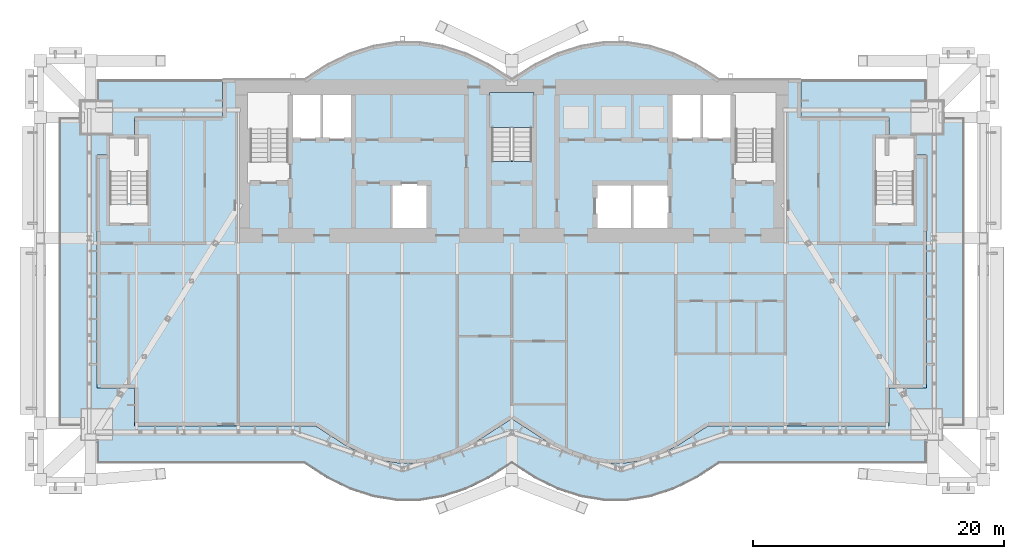
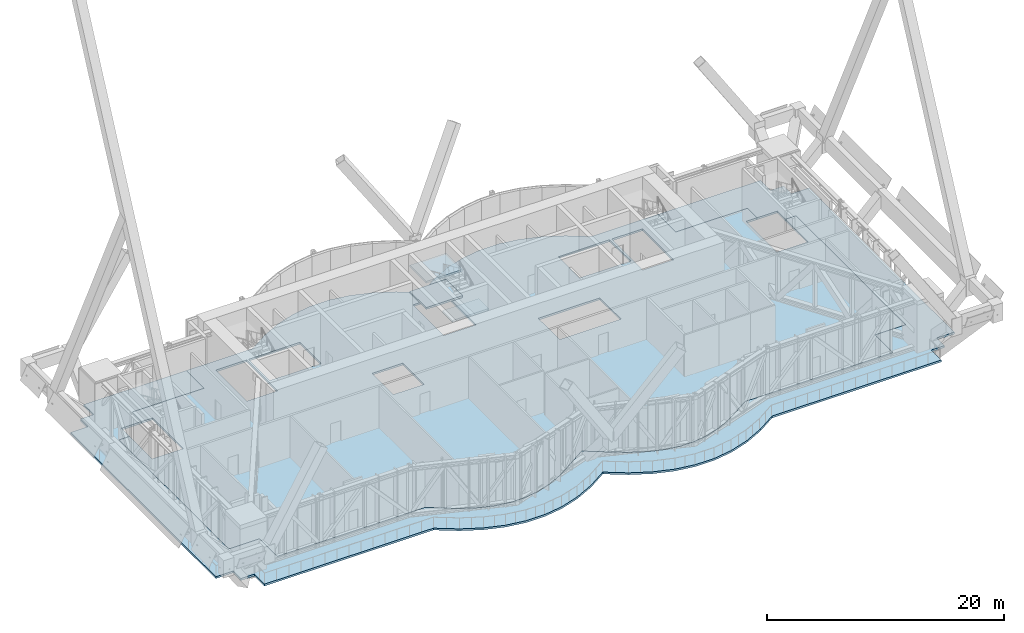
# One storey, part 20 of 31: 5 slabs, 1 element without a shape of its own.
"""IFC4 building model written with IfcOpenShell, lengths in metres."""

from ifc_helpers import new_model, si_unit, direction, frame, origin, place, context, subcontext, project, spatial, polyline, outline, extrude, material, layer, layer_set, type_object, element, aggregate, save


model = new_model("IFC4")

# Units and contexts
model_context = context("Model", 3, precision=1e-05, world=origin(), true_north=direction((0.0, 1.0)))
body_context = subcontext(model_context, "Body", "Model", "MODEL_VIEW")
ifc_project = project(units=[si_unit("LENGTHUNIT", "METRE"), si_unit("AREAUNIT", "SQUARE_METRE"), si_unit("VOLUMEUNIT", "CUBIC_METRE"), si_unit("PLANEANGLEUNIT", "RADIAN"), si_unit("MASSUNIT", "GRAM", prefix="KILO")], contexts=[model_context])

# Site, building, storey
site_placement = place(None, origin())
site = spatial("IfcSite", under=ifc_project, at=site_placement, CompositionType="ELEMENT")
building_placement = place(site_placement, origin())
building = spatial("IfcBuilding", under=site, at=building_placement, Name="Bicima Exchange Tower", CompositionType="ELEMENT")
storey_placement = place(building_placement, frame((0.0, 0.0, 236.0)))
storey = spatial("IfcBuildingStorey", under=building, at=storey_placement, Name="L53", CompositionType="ELEMENT", Elevation=236.0)

# Slabs
ifc_material_1 = material(Name="Concrete C40/50", Category="concrete")
ifc_layer_1 = layer(ifc_material_1, 0.199951171875)
ifc_layer_set_1 = layer_set([ifc_layer_1], Name="Concrete C40/50")
slab_type_1 = type_object("IfcSlabType", Name="Composite refuge floor slab 200", PredefinedType="FLOOR", material=ifc_layer_set_1)
slab_1_placement = place(storey_placement, frame((0.0, 0.0, -0.199951171875)))
element("IfcSlab", 1, at=slab_1_placement, inside=storey, type_object=slab_type_1, Name="Floor slab", PredefinedType="FLOOR", context=body_context, shape_type="SweptSolid", body=[
    extrude(outline(polyline([(33.0, -6.0), (33.0, -24.531982421875), (30.0, -24.531982421875), (30.0, -27.531982421875), (15.61474609375, -27.531982421875), (13.1923828125, -29.097900390625), (11.712158203125, -29.815673828125), (10.295166015625, -30.273681640625), (8.92578125, -30.4951171875), (7.57421875, -30.4951171875), (6.204833984375, -30.273681640625), (4.787841796875, -29.815673828125), (3.3076171875, -29.097900390625), (0.0, -26.959716796875), (-3.3076171875, -29.097900390625), (-4.787841796875, -29.815673828125), (-6.204833984375, -30.273681640625), (-7.57421875, -30.4951171875), (-8.92578125, -30.4951171875), (-10.295166015625, -30.273681640625), (-11.712158203125, -29.815673828125), (-13.1923828125, -29.097900390625), (-15.61474609375, -27.531982421875), (-30.0, -27.531982421875), (-30.0, -24.531982421875), (-33.0, -24.531982421875), (-33.0, -6.0), (-31.97509765625, -6.0), (-31.97509765625, -9.824951171875), (-28.925048828125, -9.824951171875), (-28.925048828125, -4.625), (-30.0, -4.625), (-30.0, -3.0), (-23.0, -3.0), (-23.0, 0.0), (-16.5, 0.0), (-14.666748046875, 1.185302734375), (-12.833251953125, 2.07421875), (-11.0, 2.666748046875), (-9.166748046875, 2.962890625), (-7.333251953125, 2.962890625), (-5.5, 2.666748046875), (-3.666748046875, 2.07421875), (-1.833251953125, 1.185302734375), (0.0, 0.0), (1.833251953125, 1.185302734375), (3.666748046875, 2.07421875), (5.5, 2.666748046875), (7.333251953125, 2.962890625), (9.166748046875, 2.962890625), (11.0, 2.666748046875), (12.833251953125, 2.07421875), (14.666748046875, 1.185302734375), (16.5, 0.0), (23.0, 0.0), (23.0, -3.0), (30.0, -3.0), (30.0, -4.625), (28.925048828125, -4.625), (28.925048828125, -9.824951171875), (31.97509765625, -9.824951171875), (31.97509765625, -6.0), (33.0, -6.0)]), holes=[polyline([(-6.60009765625, -11.800048828125), (-6.60009765625, -8.199951171875), (-9.60009765625, -8.199951171875), (-9.60009765625, -11.800048828125), (-6.60009765625, -11.800048828125)]), polyline([(-20.800048828125, -6.449951171875), (-17.800048828125, -6.449951171875), (-17.800048828125, -1.199951171875), (-20.800048828125, -1.199951171875), (-20.800048828125, -6.449951171875)]), polyline([(1.574951171875, -6.39990234375), (1.574951171875, -1.199951171875), (-1.574951171875, -1.199951171875), (-1.574951171875, -6.39990234375), (1.574951171875, -6.39990234375)]), polyline([(-12.60009765625, -4.800048828125), (-12.60009765625, -1.199951171875), (-15.10009765625, -1.199951171875), (-17.60009765625, -1.199951171875), (-17.60009765625, -4.800048828125), (-15.10009765625, -4.800048828125), (-12.60009765625, -4.800048828125)]), polyline([(12.60009765625, -8.199951171875), (9.60009765625, -8.199951171875), (6.60009765625, -8.199951171875), (6.60009765625, -11.800048828125), (9.60009765625, -11.800048828125), (12.60009765625, -11.800048828125), (12.60009765625, -8.199951171875)]), polyline([(20.800048828125, -6.449951171875), (20.800048828125, -1.199951171875), (17.800048828125, -1.199951171875), (17.800048828125, -6.449951171875), (20.800048828125, -6.449951171875)]), polyline([(17.60009765625, -4.800048828125), (17.60009765625, -1.199951171875), (15.10009765625, -1.199951171875), (12.60009765625, -1.199951171875), (12.60009765625, -4.800048828125), (15.10009765625, -4.800048828125), (17.60009765625, -4.800048828125)])]), origin(), (0.0, 0.0, 1.0), 0.199951171875),
])
slab_2_placement = place(storey_placement, frame((0.0, 0.0, -0.199951171875)))
element("IfcSlab", 2, at=slab_2_placement, inside=storey, type_object=slab_type_1, Name="Refuge terrace slab", PredefinedType="FLOOR", context=body_context, shape_type="SweptSolid", body=[
    extrude(outline(polyline([(30.0, -3.0), (23.0, -3.0), (23.0, 0.0), (33.0, 0.0), (33.0, -1.699951171875), (34.300048828125, -1.699951171875), (34.300048828125, -3.0), (36.0, -3.0), (36.0, -27.531982421875), (34.300048828125, -27.531982421875), (34.300048828125, -28.83203125), (33.0, -28.83203125), (33.0, -30.531982421875), (16.5, -30.531982421875), (14.666748046875, -31.71728515625), (12.833251953125, -32.606201171875), (11.0, -33.19873046875), (9.166748046875, -33.4951171875), (7.333251953125, -33.4951171875), (5.5, -33.19873046875), (3.666748046875, -32.606201171875), (1.833251953125, -31.71728515625), (0.0, -30.531982421875), (-1.833251953125, -31.71728515625), (-3.666748046875, -32.606201171875), (-5.5, -33.19873046875), (-7.333251953125, -33.4951171875), (-9.166748046875, -33.4951171875), (-11.0, -33.19873046875), (-12.833251953125, -32.606201171875), (-14.666748046875, -31.71728515625), (-16.5, -30.531982421875), (-33.0, -30.531982421875), (-33.0, -28.83203125), (-34.300048828125, -28.83203125), (-34.300048828125, -27.531982421875), (-36.0, -27.531982421875), (-36.0, -3.0), (-34.300048828125, -3.0), (-34.300048828125, -1.699951171875), (-33.0, -1.699951171875), (-33.0, 0.0), (-23.0, 0.0), (-23.0, -3.0), (-30.0, -3.0), (-30.0, -4.625), (-31.97509765625, -4.625), (-31.97509765625, -6.0), (-33.0, -6.0), (-33.0, -24.531982421875), (-30.0, -24.531982421875), (-30.0, -27.531982421875), (-15.61474609375, -27.531982421875), (-13.1923828125, -29.097900390625), (-11.712158203125, -29.815673828125), (-10.295166015625, -30.273681640625), (-8.92578125, -30.4951171875), (-7.57421875, -30.4951171875), (-6.204833984375, -30.273681640625), (-4.787841796875, -29.815673828125), (-3.3076171875, -29.097900390625), (0.0, -26.959716796875), (3.3076171875, -29.097900390625), (4.787841796875, -29.815673828125), (6.204833984375, -30.273681640625), (7.57421875, -30.4951171875), (8.92578125, -30.4951171875), (10.295166015625, -30.273681640625), (11.712158203125, -29.815673828125), (13.1923828125, -29.097900390625), (15.61474609375, -27.531982421875), (30.0, -27.531982421875), (30.0, -24.531982421875), (33.0, -24.531982421875), (33.0, -6.0), (31.97509765625, -6.0), (31.97509765625, -4.625), (30.0, -4.625), (30.0, -3.0)])), origin(), (0.0, 0.0, 1.0), 0.199951171875),
])

# Stair, slabs
ifc_material_2 = material(Name="Concrete C50/60", Category="concrete")
stair_type = type_object("IfcStairType", Name="Exit stair 1500", PredefinedType="HALF_TURN_STAIR", material=ifc_material_2)
stair_placement = place(storey_placement, origin())
stair = element("IfcStair", 3, at=stair_placement, inside=storey, type_object=stair_type, Name="L53 Central exit stair", PredefinedType="HALF_TURN_STAIR")
ifc_layer_2 = layer(ifc_material_2, 0.199951171875)
ifc_layer_set_2 = layer_set([ifc_layer_2], Name="Concrete C50/60")
slab_type_2 = type_object("IfcSlabType", Name="Stair landing slab", PredefinedType="LANDING", material=ifc_layer_set_2)
slab_3_placement = place(storey_placement, frame((0.0, 0.0, 1.14990234375)))
slab_3 = element("IfcSlab", 4, at=slab_3_placement, type_object=slab_type_2, Name="ST-C landing 1", PredefinedType="LANDING", context=body_context, shape_type="SweptSolid", body=[
    extrude(outline(polyline([(1.77490234375, -3.780029296875), (1.77490234375, -1.0), (-1.77490234375, -1.0), (-1.77490234375, -3.780029296875), (1.77490234375, -3.780029296875)])), origin(), (0.0, 0.0, 1.0), 0.2001953125),
])
slab_4_placement = place(storey_placement, frame((0.0, 0.0, 2.5)))
slab_4 = element("IfcSlab", 5, at=slab_4_placement, type_object=slab_type_2, Name="ST-C landing 2", PredefinedType="LANDING", context=body_context, shape_type="SweptSolid", body=[
    extrude(outline(polyline([(1.77490234375, -8.199951171875), (1.77490234375, -6.5), (-1.77490234375, -6.5), (-1.77490234375, -8.199951171875), (1.77490234375, -8.199951171875)])), origin(), (0.0, 0.0, 1.0), 0.199951171875),
])
slab_5_placement = place(storey_placement, frame((0.0, 0.0, 3.85009765625)))
slab_5 = element("IfcSlab", 6, at=slab_5_placement, type_object=slab_type_2, Name="ST-C landing 3", PredefinedType="LANDING", context=body_context, shape_type="SweptSolid", body=[
    extrude(outline(polyline([(1.77490234375, -3.780029296875), (1.77490234375, -1.0), (-1.77490234375, -1.0), (-1.77490234375, -3.780029296875), (1.77490234375, -3.780029296875)])), origin(), (0.0, 0.0, 1.0), 0.199951171875),
])
aggregate(stair, [slab_3, slab_4, slab_5])

save(model, "model.ifc")
